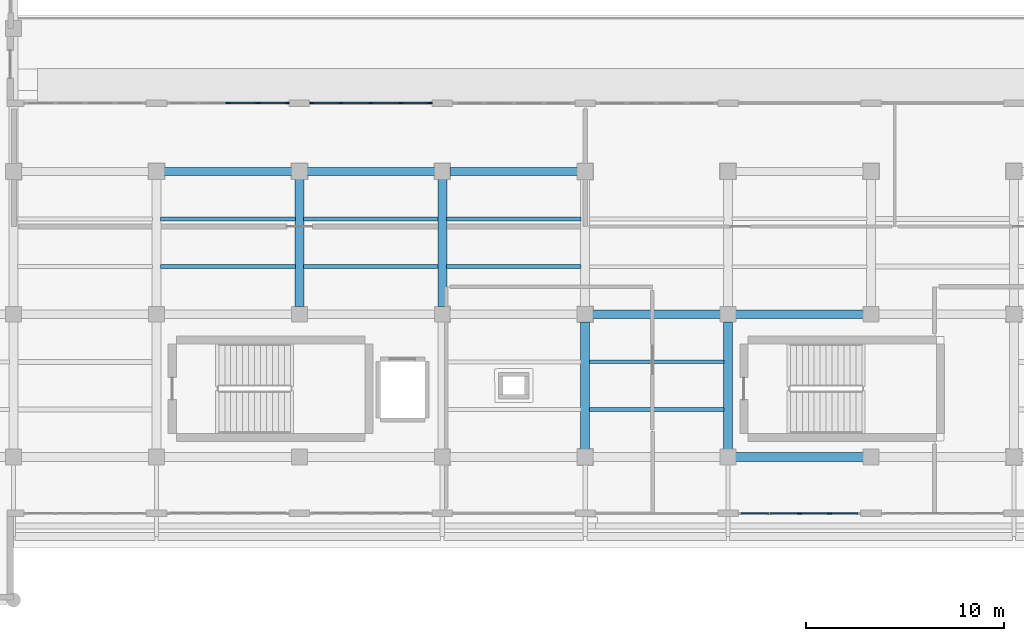
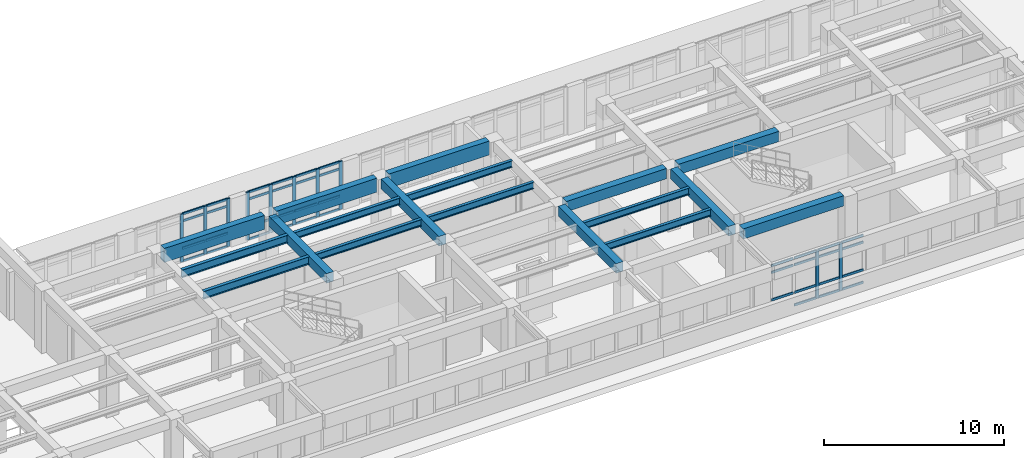
# One storey, part 7 of 67: 49 members, 18 beams, 3 elements without a shape of their own.
"""IFC4 building model written with IfcOpenShell, lengths in metres."""

from ifc_helpers import new_model, si_unit, direction, frame, origin, origin_2d, place, context, subcontext, project, spatial, rectangle, i_section, extrude, material, layer, layer_set, material_profile, profile_set, type_object, element, aggregate, save


model = new_model("IFC4")

# Units and contexts
model_context = context("Model", 3, precision=1e-05, world=origin(), true_north=direction((0.0, 1.0)))
body_context = subcontext(model_context, "Body", "Model", "MODEL_VIEW")
ifc_project = project(units=[si_unit("LENGTHUNIT", "METRE"), si_unit("AREAUNIT", "SQUARE_METRE"), si_unit("VOLUMEUNIT", "CUBIC_METRE"), si_unit("PLANEANGLEUNIT", "RADIAN"), si_unit("MASSUNIT", "GRAM", prefix="KILO")], contexts=[model_context])

# Site, building, storey
site_placement = place(None, origin())
site = spatial("IfcSite", under=ifc_project, at=site_placement, CompositionType="ELEMENT")
building_placement = place(site_placement, origin())
building = spatial("IfcBuilding", under=site, at=building_placement, Name="Solenvale Faculty of Natural Sciences", CompositionType="ELEMENT")
storey_placement = place(building_placement, frame((0.0, 0.0, 13.5)))
storey = spatial("IfcBuildingStorey", under=building, at=storey_placement, Name="L03", CompositionType="ELEMENT", Elevation=13.5)

# Beams
ifc_material_1 = material(Name="Concrete 40 MPa", Category="concrete")
ifc_material_profile_1 = material_profile(ifc_material_1, rectangle(XDim=0.449951171875, YDim=0.64990234375, at=origin_2d()), Name="RC-BM-450x650")
ifc_profile_set_1 = profile_set([ifc_material_profile_1], Name="Concrete 40 MPa")
beam_type_1 = type_object("IfcBeamType", Name="BM-RC-450x650", PredefinedType="BEAM", material=ifc_profile_set_1)
for number, where, z_axis, x_axis, name in (
    (1, (72.0, 29.179931640625, 3.89501953125), (0.0, 1.0, 0.0), (-1.0, 0.0, 0.0), "L03 Y-Girder X72.0 (28.8..36.0)"),
    (2, (79.199951171875, 29.179931640625, 3.89501953125), (0.0, 1.0, 0.0), (-1.0, 0.0, 0.0), "L03 Y-Girder X79.2 (28.8..36.0)"),
):
    element("IfcBeam", number, at=place(storey_placement, frame(where, z_axis=z_axis, x_axis=x_axis)), inside=storey, type_object=beam_type_1, Name=name, PredefinedType="BEAM", context=body_context, shape_type="SweptSolid", body=[
        extrude(rectangle(XDim=0.449951171875, YDim=0.64990234375, at=origin_2d()), origin(), (0.0, 0.0, 1.0), 6.440185546875),
    ])
for number, where, z_axis, x_axis, name in (
    (3, (86.39990234375, 21.97998046875, 3.89501953125), (0.0, 1.0, 0.0), (-1.0, 0.0, 0.0), "L03 Y-Girder X86.4 (21.6..28.8)"),
    (4, (93.60009765625, 21.97998046875, 3.89501953125), (0.0, 1.0, 0.0), (-1.0, 0.0, 0.0), "L03 Y-Girder X93.6 (21.6..28.8)"),
):
    element("IfcBeam", number, at=place(storey_placement, frame(where, z_axis=z_axis, x_axis=x_axis)), inside=storey, type_object=beam_type_1, Name=name, PredefinedType="BEAM", context=body_context, shape_type="SweptSolid", body=[
        extrude(rectangle(XDim=0.449951171875, YDim=0.64990234375, at=origin_2d()), origin(), (0.0, 0.0, 1.0), 6.43994140625),
    ])
ifc_material_profile_2 = material_profile(ifc_material_1, rectangle(XDim=0.449951171875, YDim=0.699951171875, at=origin_2d()), Name="RC-BM-450x700")
ifc_profile_set_2 = profile_set([ifc_material_profile_2], Name="Concrete 40 MPa")
beam_type_2 = type_object("IfcBeamType", Name="BM-RC-450x700", PredefinedType="BEAM", material=ifc_profile_set_2)
for number, where, z_axis, x_axis, name in (
    (5, (93.97998046875, 21.60009765625, 3.8701171875), (1.0, 0.0, 0.0), (0.0, 1.0, 0.0), "L03 X-Girder Y21.6 (93.6..100.8)"),
    (6, (86.780029296875, 28.800048828125, 3.8701171875), (1.0, 0.0, 0.0), (0.0, 1.0, 0.0), "L03 X-Girder Y28.8 (86.4..93.6)"),
    (7, (93.97998046875, 28.800048828125, 3.8701171875), (1.0, 0.0, 0.0), (0.0, 1.0, 0.0), "L03 X-Girder Y28.8 (93.6..100.8)"),
):
    element("IfcBeam", number, at=place(storey_placement, frame(where, z_axis=z_axis, x_axis=x_axis)), inside=storey, type_object=beam_type_2, Name=name, PredefinedType="BEAM", context=body_context, shape_type="SweptSolid", body=[
        extrude(rectangle(XDim=0.449951171875, YDim=0.699951171875, at=origin_2d()), origin(), (0.0, 0.0, 1.0), 6.43994140625),
    ])
ifc_material_2 = material(Name="Architectural bronze concrete 40 MPa", Category="concrete")
ifc_material_profile_3 = material_profile(ifc_material_2, rectangle(XDim=0.39990234375, YDim=0.949951171875, at=origin_2d()), Name="RC-SPN-400x950")
ifc_profile_set_3 = profile_set([ifc_material_profile_3], Name="Architectural bronze concrete 40 MPa")
beam_type_3 = type_object("IfcBeamType", Name="BM-SPN-BRZ-950", PredefinedType="SPANDREL", material=ifc_profile_set_3)
for number, where, z_axis, x_axis, name in (
    (8, (65.179931640625, 36.0, 3.7451171875), (1.0, 0.0, 0.0), (0.0, 1.0, 0.0), "L04 Sliding-Tray North Bronze Fascia 2"),
    (9, (72.3798828125, 36.0, 3.7451171875), (1.0, 0.0, 0.0), (0.0, 1.0, 0.0), "L04 Sliding-Tray North Bronze Fascia 3"),
):
    element("IfcBeam", number, at=place(storey_placement, frame(where, z_axis=z_axis, x_axis=x_axis)), inside=storey, type_object=beam_type_3, Name=name, PredefinedType="SPANDREL", context=body_context, shape_type="SweptSolid", body=[
        extrude(rectangle(XDim=0.39990234375, YDim=0.949951171875, at=origin_2d()), origin(), (0.0, 0.0, 1.0), 6.440185546875),
    ])
beam_placement = place(storey_placement, frame((79.580078125, 36.0, 3.7451171875), z_axis=(1.0, 0.0, 0.0), x_axis=(0.0, 1.0, 0.0)))
element("IfcBeam", 10, at=beam_placement, inside=storey, type_object=beam_type_3, Name="L04 Sliding-Tray North Bronze Fascia 4", PredefinedType="SPANDREL", context=body_context, shape_type="SweptSolid", body=[
    extrude(rectangle(XDim=0.39990234375, YDim=0.949951171875, at=origin_2d()), origin(), (0.0, 0.0, 1.0), 6.43994140625),
])
ifc_material_3 = material(Name="Steel S355", Category="steel")
ifc_material_profile_4 = material_profile(ifc_material_3, i_section(OverallWidth=0.194091796875, OverallDepth=0.468994140625, WebThickness=0.0126953125, FlangeThickness=0.0205078125, FilletRadius=0.01806640625, at=origin_2d()), Name="W460x106")
ifc_profile_set_4 = profile_set([ifc_material_profile_4], Name="Steel S355")
beam_type_4 = type_object("IfcBeamType", Name="BM-STL-W460x106", PredefinedType="JOIST", material=ifc_profile_set_4)
for number, where, z_axis, x_axis, name in (
    (11, (72.205078125, 31.199951171875, 3.985595703125), (1.0, 0.0, 0.0), (0.0, 1.0, 0.0), "L03 Composite Floor Joist (11,5).1"),
    (12, (72.205078125, 33.60009765625, 3.985595703125), (1.0, 0.0, 0.0), (0.0, 1.0, 0.0), "L03 Composite Floor Joist (11,5).2"),
):
    element("IfcBeam", number, at=place(storey_placement, frame(where, z_axis=z_axis, x_axis=x_axis)), inside=storey, type_object=beam_type_4, Name=name, PredefinedType="JOIST", context=body_context, shape_type="SweptSolid", body=[
        extrude(i_section(OverallWidth=0.194091796875, OverallDepth=0.468994140625, WebThickness=0.0126953125, FlangeThickness=0.0205078125, FilletRadius=0.01806640625, at=origin_2d()), origin(), (0.0, 0.0, 1.0), 6.7900390625),
    ])
ifc_material_profile_5 = material_profile(ifc_material_3, i_section(OverallWidth=0.19091796875, OverallDepth=0.4599609375, WebThickness=0.010009765625, FlangeThickness=0.01611328125, FilletRadius=0.01806640625, at=origin_2d()), Name="W460x82")
ifc_profile_set_5 = profile_set([ifc_material_profile_5], Name="Steel S355")
beam_type_5 = type_object("IfcBeamType", Name="BM-STL-W460x82", PredefinedType="JOIST", material=ifc_profile_set_5)
for number, where, z_axis, x_axis, name in (
    (13, (79.405029296875, 31.199951171875, 3.989990234375), (1.0, 0.0, 0.0), (0.0, 1.0, 0.0), "L03 Composite Floor Joist (12,5).1"),
    (14, (79.405029296875, 33.60009765625, 3.989990234375), (1.0, 0.0, 0.0), (0.0, 1.0, 0.0), "L03 Composite Floor Joist (12,5).2"),
    (15, (86.60498046875, 24.0, 3.989990234375), (1.0, 0.0, 0.0), (0.0, 1.0, 0.0), "L03 Composite Floor Joist (13,4).1"),
    (16, (86.60498046875, 26.39990234375, 3.989990234375), (1.0, 0.0, 0.0), (0.0, 1.0, 0.0), "L03 Composite Floor Joist (13,4).2"),
):
    element("IfcBeam", number, at=place(storey_placement, frame(where, z_axis=z_axis, x_axis=x_axis)), inside=storey, type_object=beam_type_5, Name=name, PredefinedType="JOIST", context=body_context, shape_type="SweptSolid", body=[
        extrude(i_section(OverallWidth=0.19091796875, OverallDepth=0.4599609375, WebThickness=0.010009765625, FlangeThickness=0.01611328125, FilletRadius=0.01806640625, at=origin_2d()), origin(), (0.0, 0.0, 1.0), 6.7900390625),
    ])
ifc_material_profile_6 = material_profile(ifc_material_3, i_section(OverallWidth=0.208984375, OverallDepth=0.532958984375, WebThickness=0.01025390625, FlangeThickness=0.015625, FilletRadius=0.01904296875, at=origin_2d()), Name="W530x92")
ifc_profile_set_6 = profile_set([ifc_material_profile_6], Name="Steel S355")
beam_type_6 = type_object("IfcBeamType", Name="BM-STL-W530x92", PredefinedType="JOIST", material=ifc_profile_set_6)
for number, where, z_axis, x_axis, name in (
    (17, (65.0048828125, 31.199951171875, 3.95361328125), (1.0, 0.0, 0.0), (0.0, 1.0, 0.0), "L03 Composite Floor Joist (10,5).1"),
    (18, (65.0048828125, 33.60009765625, 3.95361328125), (1.0, 0.0, 0.0), (0.0, 1.0, 0.0), "L03 Composite Floor Joist (10,5).2"),
):
    element("IfcBeam", number, at=place(storey_placement, frame(where, z_axis=z_axis, x_axis=x_axis)), inside=storey, type_object=beam_type_6, Name=name, PredefinedType="JOIST", context=body_context, shape_type="SweptSolid", body=[
        extrude(i_section(OverallWidth=0.208984375, OverallDepth=0.532958984375, WebThickness=0.01025390625, FlangeThickness=0.015625, FilletRadius=0.01904296875, at=origin_2d()), origin(), (0.0, 0.0, 1.0), 6.7900390625),
    ])

# Curtain wall, members
ifc_material_4 = material(Name="Anodised bronze aluminium", Category="aluminium")
ifc_layer = layer(ifc_material_4, 0.18994140625)
ifc_layer_set = layer_set([ifc_layer], Name="Anodised bronze aluminium")
curtain_wall_type = type_object("IfcCurtainWallType", Name="CW-TRAY-REC", PredefinedType="USERDEFINED", material=ifc_layer_set)
curtain_wall_1_placement = place(storey_placement, origin())
curtain_wall_1 = element("IfcCurtainWall", 19, at=curtain_wall_1_placement, inside=storey, type_object=curtain_wall_type, Name="L03 Curtain Wall CW-L03-P1-E6-B6", ObjectType="UNITISED CURTAIN WALL", PredefinedType="USERDEFINED")
ifc_material_profile_7 = material_profile(ifc_material_4, rectangle(XDim=0.074951171875, YDim=0.2099609375, at=origin_2d()), Name="ALU-MUL-75x210")
ifc_profile_set_7 = profile_set([ifc_material_profile_7], Name="Anodised bronze aluminium")
member_type_1 = type_object("IfcMemberType", Name="CWM-ALU-75x210", PredefinedType="MULLION", material=ifc_profile_set_7)
member_1_placement = place(storey_placement, frame((97.199951171875, 18.762451171875, 0.0), z_axis=(0.0, 0.0, 1.0), x_axis=(0.0, 1.0, 0.0)))
member_1 = element("IfcMember", 20, at=member_1_placement, type_object=member_type_1, Name="CW-02 mullion 3", PredefinedType="MULLION", context=body_context, shape_type="SweptSolid", body=[
    extrude(rectangle(XDim=0.074951171875, YDim=0.2099609375, at=origin_2d()), origin(), (0.0, 0.0, 1.0), 3.260009765625),
])
member_2_placement = place(storey_placement, frame((98.7099609375, 18.762451171875, 0.0), z_axis=(0.0, 0.0, 1.0), x_axis=(0.0, 1.0, 0.0)))
member_2 = element("IfcMember", 21, at=member_2_placement, type_object=member_type_1, Name="CW-02 mullion 4", PredefinedType="MULLION", context=body_context, shape_type="SweptSolid", body=[
    extrude(rectangle(XDim=0.074951171875, YDim=0.2099609375, at=origin_2d()), origin(), (0.0, 0.0, 1.0), 3.260009765625),
])

curtain_wall_2_placement = place(storey_placement, origin())
curtain_wall_2 = element("IfcCurtainWall", 22, at=curtain_wall_2_placement, inside=storey, type_object=curtain_wall_type, Name="L03 Curtain Wall CW-L03-P1-E8-B6", ObjectType="UNITISED CURTAIN WALL", PredefinedType="USERDEFINED")
member_3_placement = place(storey_placement, frame((78.58251953125, 39.4375, 0.0), z_axis=(0.0, 0.0, 1.0), x_axis=(0.0, -1.0, 0.0)))
member_3 = element("IfcMember", 23, at=member_3_placement, type_object=member_type_1, Name="CW-02 mullion 1", PredefinedType="MULLION", context=body_context, shape_type="SweptSolid", body=[
    extrude(rectangle(XDim=0.074951171875, YDim=0.2099609375, at=origin_2d()), origin(), (0.0, 0.0, 1.0), 3.260009765625),
])
member_4_placement = place(storey_placement, frame((77.110107421875, 39.4375, 0.0), z_axis=(0.0, 0.0, 1.0), x_axis=(0.0, -1.0, 0.0)))
member_4 = element("IfcMember", 24, at=member_4_placement, type_object=member_type_1, Name="CW-02 mullion 2", PredefinedType="MULLION", context=body_context, shape_type="SweptSolid", body=[
    extrude(rectangle(XDim=0.074951171875, YDim=0.2099609375, at=origin_2d()), origin(), (0.0, 0.0, 1.0), 3.260009765625),
])
member_5_placement = place(storey_placement, frame((75.60009765625, 39.4375, 0.0), z_axis=(0.0, 0.0, 1.0), x_axis=(0.0, -1.0, 0.0)))
member_5 = element("IfcMember", 25, at=member_5_placement, type_object=member_type_1, Name="CW-02 mullion 3", PredefinedType="MULLION", context=body_context, shape_type="SweptSolid", body=[
    extrude(rectangle(XDim=0.074951171875, YDim=0.2099609375, at=origin_2d()), origin(), (0.0, 0.0, 1.0), 3.260009765625),
])
member_6_placement = place(storey_placement, frame((74.090087890625, 39.4375, 0.0), z_axis=(0.0, 0.0, 1.0), x_axis=(0.0, -1.0, 0.0)))
member_6 = element("IfcMember", 26, at=member_6_placement, type_object=member_type_1, Name="CW-02 mullion 4", PredefinedType="MULLION", context=body_context, shape_type="SweptSolid", body=[
    extrude(rectangle(XDim=0.074951171875, YDim=0.2099609375, at=origin_2d()), origin(), (0.0, 0.0, 1.0), 3.260009765625),
])
member_7_placement = place(storey_placement, frame((72.617431640625, 39.4375, 0.0), z_axis=(0.0, 0.0, 1.0), x_axis=(0.0, -1.0, 0.0)))
member_7 = element("IfcMember", 27, at=member_7_placement, type_object=member_type_1, Name="CW-02 mullion 5", PredefinedType="MULLION", context=body_context, shape_type="SweptSolid", body=[
    extrude(rectangle(XDim=0.074951171875, YDim=0.2099609375, at=origin_2d()), origin(), (0.0, 0.0, 1.0), 3.260009765625),
])

curtain_wall_3_placement = place(storey_placement, origin())
curtain_wall_3 = element("IfcCurtainWall", 28, at=curtain_wall_3_placement, inside=storey, type_object=curtain_wall_type, Name="L03 Curtain Wall CW-L03-P1-E8-B7", ObjectType="UNITISED CURTAIN WALL", PredefinedType="USERDEFINED")
member_8_placement = place(storey_placement, frame((71.382568359375, 39.4375, 0.0), z_axis=(0.0, 0.0, 1.0), x_axis=(0.0, -1.0, 0.0)))
member_8 = element("IfcMember", 29, at=member_8_placement, type_object=member_type_1, Name="CW-02 mullion 1", PredefinedType="MULLION", context=body_context, shape_type="SweptSolid", body=[
    extrude(rectangle(XDim=0.074951171875, YDim=0.2099609375, at=origin_2d()), origin(), (0.0, 0.0, 1.0), 3.260009765625),
])
member_9_placement = place(storey_placement, frame((69.909912109375, 39.4375, 0.0), z_axis=(0.0, 0.0, 1.0), x_axis=(0.0, -1.0, 0.0)))
member_9 = element("IfcMember", 30, at=member_9_placement, type_object=member_type_1, Name="CW-02 mullion 2", PredefinedType="MULLION", context=body_context, shape_type="SweptSolid", body=[
    extrude(rectangle(XDim=0.074951171875, YDim=0.2099609375, at=origin_2d()), origin(), (0.0, 0.0, 1.0), 3.260009765625),
])
member_10_placement = place(storey_placement, frame((68.39990234375, 39.4375, 0.0), z_axis=(0.0, 0.0, 1.0), x_axis=(0.0, -1.0, 0.0)))
member_10 = element("IfcMember", 31, at=member_10_placement, type_object=member_type_1, Name="CW-02 mullion 3", PredefinedType="MULLION", context=body_context, shape_type="SweptSolid", body=[
    extrude(rectangle(XDim=0.074951171875, YDim=0.2099609375, at=origin_2d()), origin(), (0.0, 0.0, 1.0), 3.260009765625),
])

# Member
ifc_material_profile_8 = material_profile(ifc_material_4, rectangle(XDim=0.074951171875, YDim=0.155029296875, at=origin_2d()), Name="ALU-TRN-75x155")
ifc_profile_set_8 = profile_set([ifc_material_profile_8], Name="Anodised bronze aluminium")
member_type_2 = type_object("IfcMemberType", Name="CWT-ALU-75x155", PredefinedType="USERDEFINED", material=ifc_profile_set_8)
member_11_placement = place(storey_placement, frame((94.2548828125, 18.762451171875, 0.89990234375), z_axis=(1.0, 0.0, 0.0), x_axis=(0.0, 1.0, 0.0)))
member_11 = element("IfcMember", 32, at=member_11_placement, type_object=member_type_2, Name="CW-02 transom 1.2", ObjectType="TRANSOM", PredefinedType="USERDEFINED", context=body_context, shape_type="SweptSolid", body=[
    extrude(rectangle(XDim=0.074951171875, YDim=0.155029296875, at=origin_2d()), origin(), (0.0, 0.0, 1.0), 1.397705078125),
])

member_12_placement = place(storey_placement, frame((94.2548828125, 18.762451171875, 2.760009765625), z_axis=(1.0, 0.0, 0.0), x_axis=(0.0, 1.0, 0.0)))
member_12 = element("IfcMember", 33, at=member_12_placement, type_object=member_type_2, Name="CW-02 transom 1.3", ObjectType="TRANSOM", PredefinedType="USERDEFINED", context=body_context, shape_type="SweptSolid", body=[
    extrude(rectangle(XDim=0.074951171875, YDim=0.155029296875, at=origin_2d()), origin(), (0.0, 0.0, 1.0), 1.397705078125),
])

member_13_placement = place(storey_placement, frame((94.2548828125, 18.762451171875, 3.222412109375), z_axis=(1.0, 0.0, 0.0), x_axis=(0.0, 1.0, 0.0)))
member_13 = element("IfcMember", 34, at=member_13_placement, type_object=member_type_2, Name="CW-02 transom 1.4", ObjectType="TRANSOM", PredefinedType="USERDEFINED", context=body_context, shape_type="SweptSolid", body=[
    extrude(rectangle(XDim=0.074951171875, YDim=0.155029296875, at=origin_2d()), origin(), (0.0, 0.0, 1.0), 1.397705078125),
])

member_14_placement = place(storey_placement, frame((95.7275390625, 18.762451171875, 0.03759765625), z_axis=(1.0, 0.0, 0.0), x_axis=(0.0, 1.0, 0.0)))
member_14 = element("IfcMember", 35, at=member_14_placement, type_object=member_type_2, Name="CW-02 transom 2.1", ObjectType="TRANSOM", PredefinedType="USERDEFINED", context=body_context, shape_type="SweptSolid", body=[
    extrude(rectangle(XDim=0.074951171875, YDim=0.155029296875, at=origin_2d()), origin(), (0.0, 0.0, 1.0), 1.43505859375),
])

member_15_placement = place(storey_placement, frame((95.7275390625, 18.762451171875, 0.89990234375), z_axis=(1.0, 0.0, 0.0), x_axis=(0.0, 1.0, 0.0)))
member_15 = element("IfcMember", 36, at=member_15_placement, type_object=member_type_2, Name="CW-02 transom 2.2", ObjectType="TRANSOM", PredefinedType="USERDEFINED", context=body_context, shape_type="SweptSolid", body=[
    extrude(rectangle(XDim=0.074951171875, YDim=0.155029296875, at=origin_2d()), origin(), (0.0, 0.0, 1.0), 1.43505859375),
])

member_16_placement = place(storey_placement, frame((95.7275390625, 18.762451171875, 2.760009765625), z_axis=(1.0, 0.0, 0.0), x_axis=(0.0, 1.0, 0.0)))
member_16 = element("IfcMember", 37, at=member_16_placement, type_object=member_type_2, Name="CW-02 transom 2.3", ObjectType="TRANSOM", PredefinedType="USERDEFINED", context=body_context, shape_type="SweptSolid", body=[
    extrude(rectangle(XDim=0.074951171875, YDim=0.155029296875, at=origin_2d()), origin(), (0.0, 0.0, 1.0), 1.43505859375),
])

member_17_placement = place(storey_placement, frame((95.7275390625, 18.762451171875, 3.222412109375), z_axis=(1.0, 0.0, 0.0), x_axis=(0.0, 1.0, 0.0)))
member_17 = element("IfcMember", 38, at=member_17_placement, type_object=member_type_2, Name="CW-02 transom 2.4", ObjectType="TRANSOM", PredefinedType="USERDEFINED", context=body_context, shape_type="SweptSolid", body=[
    extrude(rectangle(XDim=0.074951171875, YDim=0.155029296875, at=origin_2d()), origin(), (0.0, 0.0, 1.0), 1.43505859375),
])

member_18_placement = place(storey_placement, frame((97.237548828125, 18.762451171875, 0.03759765625), z_axis=(1.0, 0.0, 0.0), x_axis=(0.0, 1.0, 0.0)))
member_18 = element("IfcMember", 39, at=member_18_placement, type_object=member_type_2, Name="CW-02 transom 3.1", ObjectType="TRANSOM", PredefinedType="USERDEFINED", context=body_context, shape_type="SweptSolid", body=[
    extrude(rectangle(XDim=0.074951171875, YDim=0.155029296875, at=origin_2d()), origin(), (0.0, 0.0, 1.0), 1.43505859375),
])

member_19_placement = place(storey_placement, frame((97.237548828125, 18.762451171875, 0.89990234375), z_axis=(1.0, 0.0, 0.0), x_axis=(0.0, 1.0, 0.0)))
member_19 = element("IfcMember", 40, at=member_19_placement, type_object=member_type_2, Name="CW-02 transom 3.2", ObjectType="TRANSOM", PredefinedType="USERDEFINED", context=body_context, shape_type="SweptSolid", body=[
    extrude(rectangle(XDim=0.074951171875, YDim=0.155029296875, at=origin_2d()), origin(), (0.0, 0.0, 1.0), 1.43505859375),
])

member_20_placement = place(storey_placement, frame((97.237548828125, 18.762451171875, 2.760009765625), z_axis=(1.0, 0.0, 0.0), x_axis=(0.0, 1.0, 0.0)))
member_20 = element("IfcMember", 41, at=member_20_placement, type_object=member_type_2, Name="CW-02 transom 3.3", ObjectType="TRANSOM", PredefinedType="USERDEFINED", context=body_context, shape_type="SweptSolid", body=[
    extrude(rectangle(XDim=0.074951171875, YDim=0.155029296875, at=origin_2d()), origin(), (0.0, 0.0, 1.0), 1.43505859375),
])

member_21_placement = place(storey_placement, frame((97.237548828125, 18.762451171875, 3.222412109375), z_axis=(1.0, 0.0, 0.0), x_axis=(0.0, 1.0, 0.0)))
member_21 = element("IfcMember", 42, at=member_21_placement, type_object=member_type_2, Name="CW-02 transom 3.4", ObjectType="TRANSOM", PredefinedType="USERDEFINED", context=body_context, shape_type="SweptSolid", body=[
    extrude(rectangle(XDim=0.074951171875, YDim=0.155029296875, at=origin_2d()), origin(), (0.0, 0.0, 1.0), 1.43505859375),
])

member_22_placement = place(storey_placement, frame((98.74755859375, 18.762451171875, 0.03759765625), z_axis=(1.0, 0.0, 0.0), x_axis=(0.0, 1.0, 0.0)))
member_22 = element("IfcMember", 43, at=member_22_placement, type_object=member_type_2, Name="CW-02 transom 4.1", ObjectType="TRANSOM", PredefinedType="USERDEFINED", context=body_context, shape_type="SweptSolid", body=[
    extrude(rectangle(XDim=0.074951171875, YDim=0.155029296875, at=origin_2d()), origin(), (0.0, 0.0, 1.0), 1.3974609375),
])

member_23_placement = place(storey_placement, frame((98.74755859375, 18.762451171875, 0.89990234375), z_axis=(1.0, 0.0, 0.0), x_axis=(0.0, 1.0, 0.0)))
member_23 = element("IfcMember", 44, at=member_23_placement, type_object=member_type_2, Name="CW-02 transom 4.2", ObjectType="TRANSOM", PredefinedType="USERDEFINED", context=body_context, shape_type="SweptSolid", body=[
    extrude(rectangle(XDim=0.074951171875, YDim=0.155029296875, at=origin_2d()), origin(), (0.0, 0.0, 1.0), 1.3974609375),
])

member_24_placement = place(storey_placement, frame((98.74755859375, 18.762451171875, 2.760009765625), z_axis=(1.0, 0.0, 0.0), x_axis=(0.0, 1.0, 0.0)))
member_24 = element("IfcMember", 45, at=member_24_placement, type_object=member_type_2, Name="CW-02 transom 4.3", ObjectType="TRANSOM", PredefinedType="USERDEFINED", context=body_context, shape_type="SweptSolid", body=[
    extrude(rectangle(XDim=0.074951171875, YDim=0.155029296875, at=origin_2d()), origin(), (0.0, 0.0, 1.0), 1.3974609375),
])

member_25_placement = place(storey_placement, frame((98.74755859375, 18.762451171875, 3.222412109375), z_axis=(1.0, 0.0, 0.0), x_axis=(0.0, 1.0, 0.0)))
member_25 = element("IfcMember", 46, at=member_25_placement, type_object=member_type_2, Name="CW-02 transom 4.4", ObjectType="TRANSOM", PredefinedType="USERDEFINED", context=body_context, shape_type="SweptSolid", body=[
    extrude(rectangle(XDim=0.074951171875, YDim=0.155029296875, at=origin_2d()), origin(), (0.0, 0.0, 1.0), 1.3974609375),
])

aggregate(curtain_wall_1, [member_1, member_2, member_11, member_12, member_13, member_14, member_15, member_16, member_17, member_18, member_19, member_20, member_21, member_22, member_23, member_24, member_25])

member_26_placement = place(storey_placement, frame((78.544921875, 39.4375, 0.03759765625), z_axis=(-1.0, 0.0, 0.0), x_axis=(0.0, -1.0, 0.0)))
member_26 = element("IfcMember", 47, at=member_26_placement, type_object=member_type_2, Name="CW-02 transom 1.1", ObjectType="TRANSOM", PredefinedType="USERDEFINED", context=body_context, shape_type="SweptSolid", body=[
    extrude(rectangle(XDim=0.074951171875, YDim=0.155029296875, at=origin_2d()), origin(), (0.0, 0.0, 1.0), 1.3974609375),
])

member_27_placement = place(storey_placement, frame((78.544921875, 39.4375, 0.89990234375), z_axis=(-1.0, 0.0, 0.0), x_axis=(0.0, -1.0, 0.0)))
member_27 = element("IfcMember", 48, at=member_27_placement, type_object=member_type_2, Name="CW-02 transom 1.2", ObjectType="TRANSOM", PredefinedType="USERDEFINED", context=body_context, shape_type="SweptSolid", body=[
    extrude(rectangle(XDim=0.074951171875, YDim=0.155029296875, at=origin_2d()), origin(), (0.0, 0.0, 1.0), 1.3974609375),
])

member_28_placement = place(storey_placement, frame((78.544921875, 39.4375, 2.760009765625), z_axis=(-1.0, 0.0, 0.0), x_axis=(0.0, -1.0, 0.0)))
member_28 = element("IfcMember", 49, at=member_28_placement, type_object=member_type_2, Name="CW-02 transom 1.3", ObjectType="TRANSOM", PredefinedType="USERDEFINED", context=body_context, shape_type="SweptSolid", body=[
    extrude(rectangle(XDim=0.074951171875, YDim=0.155029296875, at=origin_2d()), origin(), (0.0, 0.0, 1.0), 1.3974609375),
])

member_29_placement = place(storey_placement, frame((78.544921875, 39.4375, 3.222412109375), z_axis=(-1.0, 0.0, 0.0), x_axis=(0.0, -1.0, 0.0)))
member_29 = element("IfcMember", 50, at=member_29_placement, type_object=member_type_2, Name="CW-02 transom 1.4", ObjectType="TRANSOM", PredefinedType="USERDEFINED", context=body_context, shape_type="SweptSolid", body=[
    extrude(rectangle(XDim=0.074951171875, YDim=0.155029296875, at=origin_2d()), origin(), (0.0, 0.0, 1.0), 1.3974609375),
])

member_30_placement = place(storey_placement, frame((77.072509765625, 39.4375, 0.03759765625), z_axis=(-1.0, 0.0, 0.0), x_axis=(0.0, -1.0, 0.0)))
member_30 = element("IfcMember", 51, at=member_30_placement, type_object=member_type_2, Name="CW-02 transom 2.1", ObjectType="TRANSOM", PredefinedType="USERDEFINED", context=body_context, shape_type="SweptSolid", body=[
    extrude(rectangle(XDim=0.074951171875, YDim=0.155029296875, at=origin_2d()), origin(), (0.0, 0.0, 1.0), 1.43505859375),
])

member_31_placement = place(storey_placement, frame((77.072509765625, 39.4375, 0.89990234375), z_axis=(-1.0, 0.0, 0.0), x_axis=(0.0, -1.0, 0.0)))
member_31 = element("IfcMember", 52, at=member_31_placement, type_object=member_type_2, Name="CW-02 transom 2.2", ObjectType="TRANSOM", PredefinedType="USERDEFINED", context=body_context, shape_type="SweptSolid", body=[
    extrude(rectangle(XDim=0.074951171875, YDim=0.155029296875, at=origin_2d()), origin(), (0.0, 0.0, 1.0), 1.43505859375),
])

member_32_placement = place(storey_placement, frame((77.072509765625, 39.4375, 2.760009765625), z_axis=(-1.0, 0.0, 0.0), x_axis=(0.0, -1.0, 0.0)))
member_32 = element("IfcMember", 53, at=member_32_placement, type_object=member_type_2, Name="CW-02 transom 2.3", ObjectType="TRANSOM", PredefinedType="USERDEFINED", context=body_context, shape_type="SweptSolid", body=[
    extrude(rectangle(XDim=0.074951171875, YDim=0.155029296875, at=origin_2d()), origin(), (0.0, 0.0, 1.0), 1.43505859375),
])

member_33_placement = place(storey_placement, frame((77.072509765625, 39.4375, 3.222412109375), z_axis=(-1.0, 0.0, 0.0), x_axis=(0.0, -1.0, 0.0)))
member_33 = element("IfcMember", 54, at=member_33_placement, type_object=member_type_2, Name="CW-02 transom 2.4", ObjectType="TRANSOM", PredefinedType="USERDEFINED", context=body_context, shape_type="SweptSolid", body=[
    extrude(rectangle(XDim=0.074951171875, YDim=0.155029296875, at=origin_2d()), origin(), (0.0, 0.0, 1.0), 1.43505859375),
])

member_34_placement = place(storey_placement, frame((75.5625, 39.4375, 0.03759765625), z_axis=(-1.0, 0.0, 0.0), x_axis=(0.0, -1.0, 0.0)))
member_34 = element("IfcMember", 55, at=member_34_placement, type_object=member_type_2, Name="CW-02 transom 3.1", ObjectType="TRANSOM", PredefinedType="USERDEFINED", context=body_context, shape_type="SweptSolid", body=[
    extrude(rectangle(XDim=0.074951171875, YDim=0.155029296875, at=origin_2d()), origin(), (0.0, 0.0, 1.0), 1.43505859375),
])

member_35_placement = place(storey_placement, frame((75.5625, 39.4375, 0.89990234375), z_axis=(-1.0, 0.0, 0.0), x_axis=(0.0, -1.0, 0.0)))
member_35 = element("IfcMember", 56, at=member_35_placement, type_object=member_type_2, Name="CW-02 transom 3.2", ObjectType="TRANSOM", PredefinedType="USERDEFINED", context=body_context, shape_type="SweptSolid", body=[
    extrude(rectangle(XDim=0.074951171875, YDim=0.155029296875, at=origin_2d()), origin(), (0.0, 0.0, 1.0), 1.43505859375),
])

member_36_placement = place(storey_placement, frame((75.5625, 39.4375, 2.760009765625), z_axis=(-1.0, 0.0, 0.0), x_axis=(0.0, -1.0, 0.0)))
member_36 = element("IfcMember", 57, at=member_36_placement, type_object=member_type_2, Name="CW-02 transom 3.3", ObjectType="TRANSOM", PredefinedType="USERDEFINED", context=body_context, shape_type="SweptSolid", body=[
    extrude(rectangle(XDim=0.074951171875, YDim=0.155029296875, at=origin_2d()), origin(), (0.0, 0.0, 1.0), 1.43505859375),
])

member_37_placement = place(storey_placement, frame((75.5625, 39.4375, 3.222412109375), z_axis=(-1.0, 0.0, 0.0), x_axis=(0.0, -1.0, 0.0)))
member_37 = element("IfcMember", 58, at=member_37_placement, type_object=member_type_2, Name="CW-02 transom 3.4", ObjectType="TRANSOM", PredefinedType="USERDEFINED", context=body_context, shape_type="SweptSolid", body=[
    extrude(rectangle(XDim=0.074951171875, YDim=0.155029296875, at=origin_2d()), origin(), (0.0, 0.0, 1.0), 1.43505859375),
])

member_38_placement = place(storey_placement, frame((74.052490234375, 39.4375, 0.03759765625), z_axis=(-1.0, 0.0, 0.0), x_axis=(0.0, -1.0, 0.0)))
member_38 = element("IfcMember", 59, at=member_38_placement, type_object=member_type_2, Name="CW-02 transom 4.1", ObjectType="TRANSOM", PredefinedType="USERDEFINED", context=body_context, shape_type="SweptSolid", body=[
    extrude(rectangle(XDim=0.074951171875, YDim=0.155029296875, at=origin_2d()), origin(), (0.0, 0.0, 1.0), 1.3974609375),
])

member_39_placement = place(storey_placement, frame((74.052490234375, 39.4375, 0.89990234375), z_axis=(-1.0, 0.0, 0.0), x_axis=(0.0, -1.0, 0.0)))
member_39 = element("IfcMember", 60, at=member_39_placement, type_object=member_type_2, Name="CW-02 transom 4.2", ObjectType="TRANSOM", PredefinedType="USERDEFINED", context=body_context, shape_type="SweptSolid", body=[
    extrude(rectangle(XDim=0.074951171875, YDim=0.155029296875, at=origin_2d()), origin(), (0.0, 0.0, 1.0), 1.3974609375),
])

member_40_placement = place(storey_placement, frame((74.052490234375, 39.4375, 2.760009765625), z_axis=(-1.0, 0.0, 0.0), x_axis=(0.0, -1.0, 0.0)))
member_40 = element("IfcMember", 61, at=member_40_placement, type_object=member_type_2, Name="CW-02 transom 4.3", ObjectType="TRANSOM", PredefinedType="USERDEFINED", context=body_context, shape_type="SweptSolid", body=[
    extrude(rectangle(XDim=0.074951171875, YDim=0.155029296875, at=origin_2d()), origin(), (0.0, 0.0, 1.0), 1.3974609375),
])

member_41_placement = place(storey_placement, frame((74.052490234375, 39.4375, 3.222412109375), z_axis=(-1.0, 0.0, 0.0), x_axis=(0.0, -1.0, 0.0)))
member_41 = element("IfcMember", 62, at=member_41_placement, type_object=member_type_2, Name="CW-02 transom 4.4", ObjectType="TRANSOM", PredefinedType="USERDEFINED", context=body_context, shape_type="SweptSolid", body=[
    extrude(rectangle(XDim=0.074951171875, YDim=0.155029296875, at=origin_2d()), origin(), (0.0, 0.0, 1.0), 1.3974609375),
])

aggregate(curtain_wall_2, [member_3, member_4, member_5, member_6, member_7, member_26, member_27, member_28, member_29, member_30, member_31, member_32, member_33, member_34, member_35, member_36, member_37, member_38, member_39, member_40, member_41])

member_42_placement = place(storey_placement, frame((71.344970703125, 39.4375, 0.03759765625), z_axis=(-1.0, 0.0, 0.0), x_axis=(0.0, -1.0, 0.0)))
member_42 = element("IfcMember", 63, at=member_42_placement, type_object=member_type_2, Name="CW-02 transom 1.1", ObjectType="TRANSOM", PredefinedType="USERDEFINED", context=body_context, shape_type="SweptSolid", body=[
    extrude(rectangle(XDim=0.074951171875, YDim=0.155029296875, at=origin_2d()), origin(), (0.0, 0.0, 1.0), 1.3974609375),
])

member_43_placement = place(storey_placement, frame((71.344970703125, 39.4375, 0.89990234375), z_axis=(-1.0, 0.0, 0.0), x_axis=(0.0, -1.0, 0.0)))
member_43 = element("IfcMember", 64, at=member_43_placement, type_object=member_type_2, Name="CW-02 transom 1.2", ObjectType="TRANSOM", PredefinedType="USERDEFINED", context=body_context, shape_type="SweptSolid", body=[
    extrude(rectangle(XDim=0.074951171875, YDim=0.155029296875, at=origin_2d()), origin(), (0.0, 0.0, 1.0), 1.3974609375),
])

member_44_placement = place(storey_placement, frame((71.344970703125, 39.4375, 2.760009765625), z_axis=(-1.0, 0.0, 0.0), x_axis=(0.0, -1.0, 0.0)))
member_44 = element("IfcMember", 65, at=member_44_placement, type_object=member_type_2, Name="CW-02 transom 1.3", ObjectType="TRANSOM", PredefinedType="USERDEFINED", context=body_context, shape_type="SweptSolid", body=[
    extrude(rectangle(XDim=0.074951171875, YDim=0.155029296875, at=origin_2d()), origin(), (0.0, 0.0, 1.0), 1.3974609375),
])

member_45_placement = place(storey_placement, frame((71.344970703125, 39.4375, 3.222412109375), z_axis=(-1.0, 0.0, 0.0), x_axis=(0.0, -1.0, 0.0)))
member_45 = element("IfcMember", 66, at=member_45_placement, type_object=member_type_2, Name="CW-02 transom 1.4", ObjectType="TRANSOM", PredefinedType="USERDEFINED", context=body_context, shape_type="SweptSolid", body=[
    extrude(rectangle(XDim=0.074951171875, YDim=0.155029296875, at=origin_2d()), origin(), (0.0, 0.0, 1.0), 1.3974609375),
])

member_46_placement = place(storey_placement, frame((69.87255859375, 39.4375, 0.03759765625), z_axis=(-1.0, 0.0, 0.0), x_axis=(0.0, -1.0, 0.0)))
member_46 = element("IfcMember", 67, at=member_46_placement, type_object=member_type_2, Name="CW-02 transom 2.1", ObjectType="TRANSOM", PredefinedType="USERDEFINED", context=body_context, shape_type="SweptSolid", body=[
    extrude(rectangle(XDim=0.074951171875, YDim=0.155029296875, at=origin_2d()), origin(), (0.0, 0.0, 1.0), 1.43505859375),
])

member_47_placement = place(storey_placement, frame((69.87255859375, 39.4375, 0.89990234375), z_axis=(-1.0, 0.0, 0.0), x_axis=(0.0, -1.0, 0.0)))
member_47 = element("IfcMember", 68, at=member_47_placement, type_object=member_type_2, Name="CW-02 transom 2.2", ObjectType="TRANSOM", PredefinedType="USERDEFINED", context=body_context, shape_type="SweptSolid", body=[
    extrude(rectangle(XDim=0.074951171875, YDim=0.155029296875, at=origin_2d()), origin(), (0.0, 0.0, 1.0), 1.43505859375),
])

member_48_placement = place(storey_placement, frame((69.87255859375, 39.4375, 2.760009765625), z_axis=(-1.0, 0.0, 0.0), x_axis=(0.0, -1.0, 0.0)))
member_48 = element("IfcMember", 69, at=member_48_placement, type_object=member_type_2, Name="CW-02 transom 2.3", ObjectType="TRANSOM", PredefinedType="USERDEFINED", context=body_context, shape_type="SweptSolid", body=[
    extrude(rectangle(XDim=0.074951171875, YDim=0.155029296875, at=origin_2d()), origin(), (0.0, 0.0, 1.0), 1.43505859375),
])

member_49_placement = place(storey_placement, frame((69.87255859375, 39.4375, 3.222412109375), z_axis=(-1.0, 0.0, 0.0), x_axis=(0.0, -1.0, 0.0)))
member_49 = element("IfcMember", 70, at=member_49_placement, type_object=member_type_2, Name="CW-02 transom 2.4", ObjectType="TRANSOM", PredefinedType="USERDEFINED", context=body_context, shape_type="SweptSolid", body=[
    extrude(rectangle(XDim=0.074951171875, YDim=0.155029296875, at=origin_2d()), origin(), (0.0, 0.0, 1.0), 1.43505859375),
])

aggregate(curtain_wall_3, [member_8, member_9, member_10, member_42, member_43, member_44, member_45, member_46, member_47, member_48, member_49])

save(model, "model.ifc")
